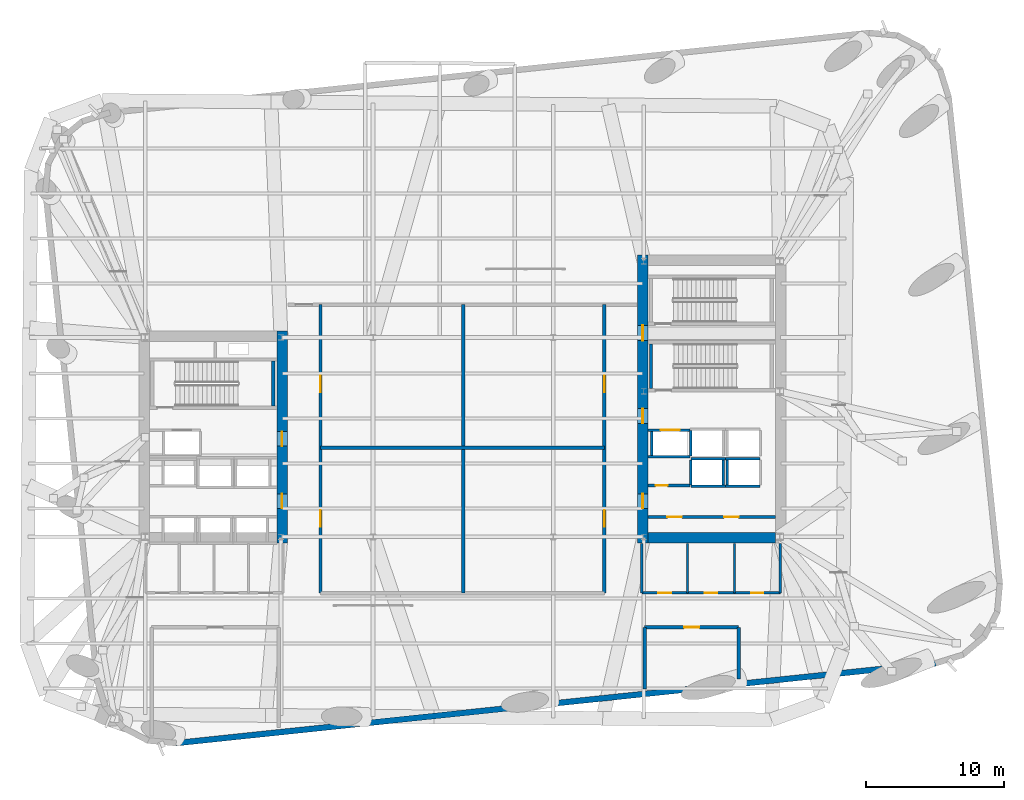
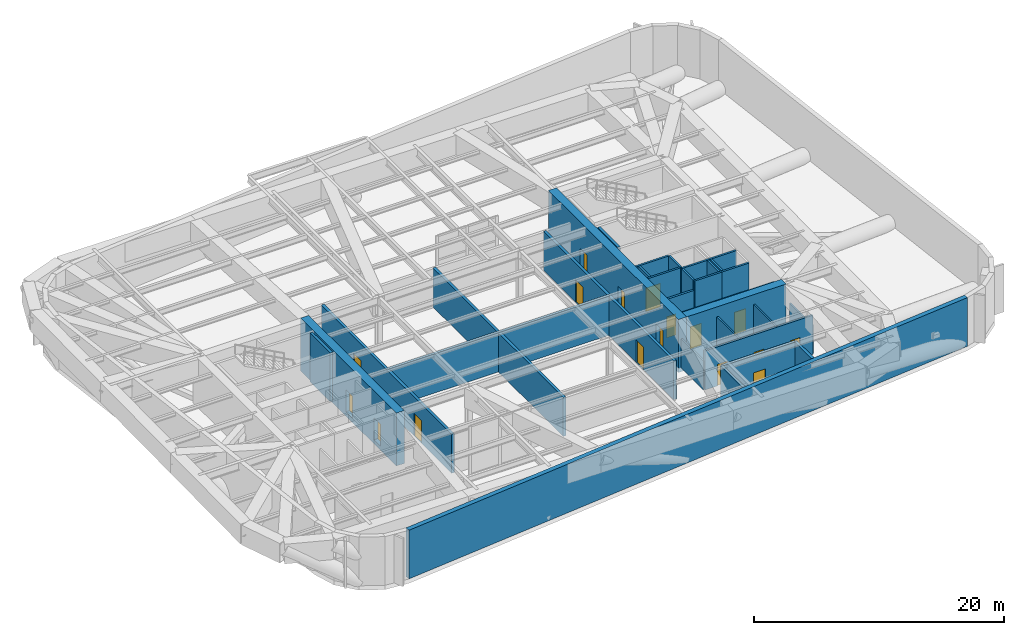
# One storey, part 8 of 15: 31 walls, 17 doors, 17 openings.
"""IFC4 building model written with IfcOpenShell, lengths in metres."""

import ifcopenshell
import ifcopenshell.guid

model = None  # the IFC model being written
_history = None  # IfcOwnerHistory: only IFC2X3 demands one
_inside = {}  # id of a spatial element -> (the spatial element, [elements in it])
_under = {}  # id of a project, library or spatial element -> (it, [spatial elements below it])
_declared = {}  # id of a project -> (the project, [libraries it declares])
_typed = {}  # id of a type object -> (the type object, [elements of that type])
_made_of = {}  # id of a material, layer set ... -> (it, [elements and type objects made of it])


def new_model(schema):
    """Start an empty IFC model of exactly this schema.

    Asked for "IFC4X3", IfcOpenShell would pick the latest addendum, in which some entities
    have other attributes; the version numbers below select the first issue.
    IFC2X3 requires an IfcOwnerHistory on every rooted entity: one is made here for all.
    """
    global model, _history
    if schema == "IFC4X3":
        model = ifcopenshell.file(schema_version=(4, 3, 0, 0))
    else:
        model = ifcopenshell.file(schema=schema)
    _inside.clear()
    _under.clear()
    _declared.clear()
    _typed.clear()
    _made_of.clear()
    _history = None
    if model.schema == "IFC2X3":
        org = make("IfcOrganization", Name="unknown")
        user = make(
            "IfcPersonAndOrganization",
            ThePerson=make("IfcPerson", FamilyName="unknown"),
            TheOrganization=org,
        )
        app = make(
            "IfcApplication",
            ApplicationDeveloper=org,
            Version="unknown",
            ApplicationFullName="unknown",
            ApplicationIdentifier="unknown",
        )
        _history = make(
            "IfcOwnerHistory",
            OwningUser=user,
            OwningApplication=app,
            ChangeAction="ADDED",
            CreationDate=0,
        )
    return model


def make(cls, **values):
    """One entity of the class cls with the attributes given. An attribute that is None is left unset."""
    return model.create_entity(
        cls, **{name: value for name, value in values.items() if value is not None}
    )


def rooted(cls, **values):
    """An entity with a GlobalId (a new one), such as an element, a storey or a relation."""
    return make(cls, GlobalId=ifcopenshell.guid.new(), OwnerHistory=_history, **values)


def si_unit(unit_type, name, prefix=None):
    """IfcSIUnit, for example si_unit("LENGTHUNIT", "METRE", prefix="MILLI")."""
    return make("IfcSIUnit", UnitType=unit_type, Prefix=prefix, Name=name)


def assignment(units):
    """IfcUnitAssignment: the units of a project."""
    return None if units is None else make("IfcUnitAssignment", Units=units)


def point(xyz):
    """IfcCartesianPoint."""
    return None if xyz is None else make("IfcCartesianPoint", Coordinates=xyz)


def direction(xyz):
    """IfcDirection."""
    return None if xyz is None else make("IfcDirection", DirectionRatios=xyz)


def frame(location, z_axis=None, x_axis=None):
    """IfcAxis2Placement3D, a coordinate frame: its origin and axes. An axis left out is left unset."""
    return make(
        "IfcAxis2Placement3D",
        Location=point(location),
        Axis=direction(z_axis),
        RefDirection=direction(x_axis),
    )


def frame_2d(location, x_axis=None):
    """IfcAxis2Placement2D, a coordinate frame in the plane: its origin and x axis."""
    return make(
        "IfcAxis2Placement2D", Location=point(location), RefDirection=direction(x_axis)
    )


def origin():
    """The frame at (0, 0, 0) with its axes left unset."""
    return frame((0.0, 0.0, 0.0))


def place(relative_to, where):
    """IfcLocalPlacement: puts the frame where relative to a parent placement (None: the world)."""
    return make(
        "IfcLocalPlacement", PlacementRelTo=relative_to, RelativePlacement=where
    )


def context(
    kind, dimensions, precision=None, world=None, true_north=None, identifier=None
):
    """IfcGeometricRepresentationContext, for example the 3D "Model" context."""
    return make(
        "IfcGeometricRepresentationContext",
        ContextIdentifier=identifier,
        ContextType=kind,
        CoordinateSpaceDimension=dimensions,
        Precision=precision,
        WorldCoordinateSystem=world,
        TrueNorth=true_north,
    )


def subcontext(parent, identifier, kind, view, scale=None):
    """IfcGeometricRepresentationSubContext, for example "Body" below "Model"."""
    return make(
        "IfcGeometricRepresentationSubContext",
        ContextIdentifier=identifier,
        ContextType=kind,
        ParentContext=parent,
        TargetScale=scale,
        TargetView=view,
    )


def project(units=None, contexts=None):
    """IfcProject with its units and contexts."""
    return rooted(
        "IfcProject",
        Name="project",
        RepresentationContexts=contexts,
        UnitsInContext=assignment(units),
    )


def spatial(cls, under=None, at=None, **own):
    """A site, building, storey or space (cls), placed at a placement, below another one or the project."""
    s = rooted(cls, ObjectPlacement=at, **own)
    if under is not None:
        _under.setdefault(under.id(), (under, []))[1].append(s)
    return s


def profile(cls, at=None, kind="AREA", **sizes):
    """A parametric profile (cls). Its sizes go by their IFC names, for example OverallWidth=200.0."""
    return make(cls, ProfileType=kind, Position=at, **sizes)


def rectangle(**sizes):
    """IfcRectangleProfileDef."""
    return profile("IfcRectangleProfileDef", **sizes)


def extrude(swept, where, along, depth):
    """IfcExtrudedAreaSolid: the profile swept, set in the frame where, extruded along a direction by depth."""
    return make(
        "IfcExtrudedAreaSolid",
        SweptArea=swept,
        Position=where,
        ExtrudedDirection=direction(along),
        Depth=depth,
    )


def shape(context_of_items, identifier, shape_type, items):
    """IfcShapeRepresentation: the items that make up one representation, for example the "Body"."""
    return make(
        "IfcShapeRepresentation",
        ContextOfItems=context_of_items,
        RepresentationIdentifier=identifier,
        RepresentationType=shape_type,
        Items=items,
    )


def material(Name=None, Category=None):
    """IfcMaterial."""
    return make("IfcMaterial", Name=Name, Category=Category)


def layer(
    of_material, thickness, ventilated=None, Name=None, Category=None, Priority=None
):
    """IfcMaterialLayer: one layer of a wall or slab, of a material (None: an air gap)."""
    return make(
        "IfcMaterialLayer",
        Material=of_material,
        LayerThickness=thickness,
        IsVentilated=ventilated,
        Name=Name,
        Category=Category,
        Priority=Priority,
    )


def layer_set(layers, Name=None):
    """IfcMaterialLayerSet."""
    return make("IfcMaterialLayerSet", MaterialLayers=layers, LayerSetName=Name)


def made_of(thing, what):
    """Note that an element or type object is made of a material, layer set ...; save() writes the relation."""
    if what is not None:
        _made_of.setdefault(what.id(), (what, []))[1].append(thing)
    return thing


def type_object(cls, material=None, **own):
    """A type object (cls), such as IfcWallType, which elements share."""
    return made_of(rooted(cls, **own), material)


def element(
    cls,
    number,
    at=None,
    inside=None,
    cuts=None,
    type_object=None,
    material=None,
    context=None,
    identifier="Body",
    shape_type=None,
    held_by="IfcProductDefinitionShape",
    body=None,
    shapes=None,
    **own,
):
    """One element of the class cls, such as IfcWall. Its Tag is "e" and its number.

    at: its placement. inside: the storey or other place that contains it. cuts: it is an
    opening in that element (IfcRelVoidsElement). A single representation is given by context,
    identifier, shape_type and body (its items); several are given by shapes. held_by: the class
    of the entity that holds the representations. save() writes the other relations.
    """
    e = rooted(cls, Tag="e%d" % number, ObjectPlacement=at, **own)
    if body is not None:
        shapes = [shape(context, identifier, shape_type, body)]
    if shapes is not None:
        e.Representation = make(held_by, Representations=shapes)
    if inside is not None:
        _inside.setdefault(inside.id(), (inside, []))[1].append(e)
    if cuts is not None:
        rooted(
            "IfcRelVoidsElement", RelatingBuildingElement=cuts, RelatedOpeningElement=e
        )
    if type_object is not None:
        _typed.setdefault(type_object.id(), (type_object, []))[1].append(e)
    return made_of(e, material)


def fill(opening, filler):
    """IfcRelFillsElement: the door or window that sits in an opening."""
    return rooted(
        "IfcRelFillsElement",
        RelatingOpeningElement=opening,
        RelatedBuildingElement=filler,
    )


def aggregate(whole, parts):
    """IfcRelAggregates: a whole, such as a stair, and the parts it consists of."""
    return rooted("IfcRelAggregates", RelatingObject=whole, RelatedObjects=parts)


def save(model, path):
    """Write the relations noted so far, then the file.

    IfcRelAggregates (storeys below a building ...), IfcRelContainedInSpatialStructure (elements
    in a storey), IfcRelDefinesByType, IfcRelAssociatesMaterial and IfcRelDeclares: one each for
    every whole, place, type object, material and project.
    """
    for whole, parts in _under.values():
        aggregate(whole, parts)
    for where, things in _inside.values():
        rooted(
            "IfcRelContainedInSpatialStructure",
            RelatedElements=things,
            RelatingStructure=where,
        )
    for kind, things in _typed.values():
        rooted("IfcRelDefinesByType", RelatedObjects=things, RelatingType=kind)
    for what, things in _made_of.values():
        rooted("IfcRelAssociatesMaterial", RelatedObjects=things, RelatingMaterial=what)
    for by, libraries in _declared.values():
        rooted("IfcRelDeclares", RelatingContext=by, RelatedDefinitions=libraries)
    model.write(path)


model = new_model("IFC4")

# Units and contexts
model_context = context("Model", 3, precision=1e-05, world=origin(), true_north=direction((0.0, 1.0)))
body_context = subcontext(model_context, "Body", "Model", "MODEL_VIEW")
ifc_project = project(units=[si_unit("LENGTHUNIT", "METRE"), si_unit("AREAUNIT", "SQUARE_METRE"), si_unit("VOLUMEUNIT", "CUBIC_METRE"), si_unit("PLANEANGLEUNIT", "RADIAN"), si_unit("MASSUNIT", "GRAM", prefix="KILO")], contexts=[model_context])

# Site, building, storey
site_placement = place(None, origin())
site = spatial("IfcSite", under=ifc_project, at=site_placement, CompositionType="ELEMENT")
building_placement = place(site_placement, origin())
building = spatial("IfcBuilding", under=site, at=building_placement, Name="Kolvaren Arena Tower", CompositionType="ELEMENT")
storey_placement = place(building_placement, frame((0.0, 0.0, 153.25)))
storey = spatial("IfcBuildingStorey", under=building, at=storey_placement, Name="L36", CompositionType="ELEMENT", Elevation=153.25)

# Wall, openings, doors
ifc_material_1 = material(Name="Concrete 70 MPa", Category="concrete")
ifc_layer_1 = layer(ifc_material_1, 0.75)
ifc_layer_set_1 = layer_set([ifc_layer_1], Name="Concrete 70 MPa")
wall_type_1 = type_object("IfcWallType", Name="CWALL-750", PredefinedType="SHEAR", material=ifc_layer_set_1)
wall_1_placement = place(storey_placement, frame((24.425048828125, 19.0, -0.419921875), z_axis=(0.0, 0.0, 1.0), x_axis=(0.0, 1.0, 0.0)))
wall_1 = element("IfcWall", 1, at=wall_1_placement, inside=storey, type_object=wall_type_1, Name="Core Shear Wall WC-EAST (L36)", PredefinedType="SHEAR", context=body_context, shape_type="SweptSolid", body=[
    extrude(rectangle(XDim=15.300048828125, YDim=0.75, at=frame_2d((7.64990234375, 0.0))), origin(), (0.0, 0.0, 1.0), 5.169921875),
])
opening_1_placement = place(wall_1_placement, frame((2.5, 0.0, 0.419921875)))
opening_1 = element("IfcOpeningElement", 2, at=opening_1_placement, cuts=wall_1, Name="Opening D04", PredefinedType="OPENING", context=body_context, shape_type="SweptSolid", body=[
    extrude(rectangle(XDim=1.050048828125, YDim=2.14990234375, at=frame_2d((0.52490234375, 1.074951171875))), frame((0.0, 0.385009765625, 0.0), z_axis=(0.0, -1.0, 0.0), x_axis=(1.0, 0.0, 0.0)), (0.0, 0.0, 1.0), 0.77001953125),
])
opening_2_placement = place(wall_1_placement, frame((7.0, 0.0, 0.419921875)))
opening_2 = element("IfcOpeningElement", 3, at=opening_2_placement, cuts=wall_1, Name="Opening D04", PredefinedType="OPENING", context=body_context, shape_type="SweptSolid", body=[
    extrude(rectangle(XDim=1.050048828125, YDim=2.14990234375, at=frame_2d((0.52490234375, 1.074951171875))), frame((0.0, 0.385009765625, 0.0), z_axis=(0.0, -1.0, 0.0), x_axis=(1.0, 0.0, 0.0)), (0.0, 0.0, 1.0), 0.77001953125),
])
ifc_material_2 = material(Name="Fire-rated steel lobby door", Category="steel")
door_type_1 = type_object("IfcDoorType", Name="DOOR-FF-105", OperationType="NOTDEFINED", PredefinedType="DOOR", material=ifc_material_2)
door_1_placement = place(opening_1_placement, origin())
door_1 = element("IfcDoor", 4, at=door_1_placement, inside=storey, type_object=door_type_1, Name="West Lift Lobby Fire Door (L36)", OperationType="SINGLE_SWING_LEFT", OverallHeight=2.14990234375, OverallWidth=1.050048828125, PredefinedType="DOOR", context=body_context, shape_type="SweptSolid", body=[
    extrude(rectangle(XDim=1.050048828125, YDim=2.14990234375, at=frame_2d((0.52490234375, 1.074951171875))), frame((0.0, 0.02490234375, 0.0), z_axis=(0.0, -1.0, 0.0), x_axis=(1.0, 0.0, 0.0)), (0.0, 0.0, 1.0), 0.050048828125),
])
fill(opening_1, door_1)
door_2_placement = place(opening_2_placement, origin())
door_2 = element("IfcDoor", 5, at=door_2_placement, inside=storey, type_object=door_type_1, Name="West Firefighter Vestibule Door (L36)", OperationType="SINGLE_SWING_RIGHT", OverallHeight=2.14990234375, OverallWidth=1.050048828125, PredefinedType="DOOR", context=body_context, shape_type="SweptSolid", body=[
    extrude(rectangle(XDim=1.050048828125, YDim=2.14990234375, at=frame_2d((0.52490234375, 1.074951171875))), frame((0.0, 0.02490234375, 0.0), z_axis=(0.0, -1.0, 0.0), x_axis=(1.0, 0.0, 0.0)), (0.0, 0.0, 1.0), 0.050048828125),
])
fill(opening_2, door_2)

wall_2_placement = place(storey_placement, frame((50.47509765625, 19.0, -0.419921875), z_axis=(0.0, 0.0, 1.0), x_axis=(0.0, 1.0, 0.0)))
wall_2 = element("IfcWall", 6, at=wall_2_placement, inside=storey, type_object=wall_type_1, Name="Core Shear Wall EC-WEST (L36)", PredefinedType="SHEAR", context=body_context, shape_type="SweptSolid", body=[
    extrude(rectangle(XDim=20.800048828125, YDim=0.75, at=frame_2d((10.39990234375, 0.0))), origin(), (0.0, 0.0, 1.0), 5.169921875),
])
opening_3_placement = place(wall_2_placement, frame((2.5, 0.0, 0.419921875)))
opening_3 = element("IfcOpeningElement", 7, at=opening_3_placement, cuts=wall_2, Name="Opening D04", PredefinedType="OPENING", context=body_context, shape_type="SweptSolid", body=[
    extrude(rectangle(XDim=1.050048828125, YDim=2.14990234375, at=frame_2d((0.52490234375, 1.074951171875))), frame((0.0, 0.385009765625, 0.0), z_axis=(0.0, -1.0, 0.0), x_axis=(1.0, 0.0, 0.0)), (0.0, 0.0, 1.0), 0.77001953125),
])
opening_4_placement = place(wall_2_placement, frame((8.64990234375, 0.0, 0.419921875)))
opening_4 = element("IfcOpeningElement", 8, at=opening_4_placement, cuts=wall_2, Name="Opening D04", PredefinedType="OPENING", context=body_context, shape_type="SweptSolid", body=[
    extrude(rectangle(XDim=1.050048828125, YDim=2.14990234375, at=frame_2d((0.52490234375, 1.074951171875))), frame((0.0, 0.385009765625, 0.0), z_axis=(0.0, -1.0, 0.0), x_axis=(1.0, 0.0, 0.0)), (0.0, 0.0, 1.0), 0.77001953125),
])
opening_5_placement = place(wall_2_placement, frame((14.6201171875, 0.0, 0.419921875)))
opening_5 = element("IfcOpeningElement", 9, at=opening_5_placement, cuts=wall_2, Name="Opening D03", PredefinedType="OPENING", context=body_context, shape_type="SweptSolid", body=[
    extrude(rectangle(XDim=1.10009765625, YDim=2.14990234375, at=frame_2d((0.550048828125, 1.074951171875))), frame((0.0, 0.385009765625, 0.0), z_axis=(0.0, -1.0, 0.0), x_axis=(1.0, 0.0, 0.0)), (0.0, 0.0, 1.0), 0.77001953125),
])
door_3_placement = place(opening_3_placement, origin())
door_3 = element("IfcDoor", 10, at=door_3_placement, inside=storey, type_object=door_type_1, Name="East Lift Lobby Fire Door (L36)", OperationType="SINGLE_SWING_RIGHT", OverallHeight=2.14990234375, OverallWidth=1.050048828125, PredefinedType="DOOR", context=body_context, shape_type="SweptSolid", body=[
    extrude(rectangle(XDim=1.050048828125, YDim=2.14990234375, at=frame_2d((0.52490234375, 1.074951171875))), frame((0.0, 0.02490234375, 0.0), z_axis=(0.0, -1.0, 0.0), x_axis=(1.0, 0.0, 0.0)), (0.0, 0.0, 1.0), 0.050048828125),
])
fill(opening_3, door_3)
door_4_placement = place(opening_4_placement, origin())
door_4 = element("IfcDoor", 11, at=door_4_placement, inside=storey, type_object=door_type_1, Name="East Firefighter Vestibule Door (L36)", OperationType="SINGLE_SWING_LEFT", OverallHeight=2.14990234375, OverallWidth=1.050048828125, PredefinedType="DOOR", context=body_context, shape_type="SweptSolid", body=[
    extrude(rectangle(XDim=1.050048828125, YDim=2.14990234375, at=frame_2d((0.52490234375, 1.074951171875))), frame((0.0, 0.02490234375, 0.0), z_axis=(0.0, -1.0, 0.0), x_axis=(1.0, 0.0, 0.0)), (0.0, 0.0, 1.0), 0.050048828125),
])
fill(opening_4, door_4)
ifc_material_3 = material(Name="Fire-rated steel exit stair door", Category="steel")
door_type_2 = type_object("IfcDoorType", Name="DOOR-ST-110", OperationType="NOTDEFINED", PredefinedType="DOOR", material=ifc_material_3)
door_5_placement = place(opening_5_placement, origin())
door_5 = element("IfcDoor", 12, at=door_5_placement, inside=storey, type_object=door_type_2, Name="Stair ST-E2 Vestibule Fire Door (L36)", OperationType="SINGLE_SWING_LEFT", OverallHeight=2.14990234375, OverallWidth=1.10009765625, PredefinedType="DOOR", context=body_context, shape_type="SweptSolid", body=[
    extrude(rectangle(XDim=1.10009765625, YDim=2.14990234375, at=frame_2d((0.550048828125, 1.074951171875))), frame((0.0, 0.02490234375, 0.0), z_axis=(0.0, -1.0, 0.0), x_axis=(1.0, 0.0, 0.0)), (0.0, 0.0, 1.0), 0.050048828125),
])
fill(opening_5, door_5)

# Walls
wall_3_placement = place(storey_placement, frame((50.85009765625, 19.375, -0.419921875), z_axis=(0.0, 0.0, 1.0), x_axis=(1.0, 0.0, 0.0)))
element("IfcWall", 13, at=wall_3_placement, inside=storey, type_object=wall_type_1, Name="Core Shear Wall EC-SOUTH (L36)", PredefinedType="SHEAR", context=body_context, shape_type="SweptSolid", body=[
    extrude(rectangle(XDim=9.199951171875, YDim=0.75, at=frame_2d((4.60009765625, 0.0))), origin(), (0.0, 0.0, 1.0), 5.169921875),
])
ifc_material_4 = material(Name="Precast concrete C50/60", Category="concrete")
ifc_layer_2 = layer(ifc_material_4, 0.419921875)
ifc_layer_set_2 = layer_set([ifc_layer_2], Name="Precast concrete C50/60")
wall_type_2 = type_object("IfcWallType", Name="EXT-PIER1", PredefinedType="SOLIDWALL", material=ifc_layer_set_2)
wall_4_placement = place(storey_placement, frame((71.641357421875, 10.3203125, 0.0), z_axis=(0.0, 0.0, 1.0), x_axis=(-0.994521775062, -0.104529607897, 0.0)))
element("IfcWall", 14, at=wall_4_placement, inside=storey, type_object=wall_type_2, Name="Exterior Precast Masonry-Frame Wall (L36)", PredefinedType="SOLIDWALL", context=body_context, shape_type="SweptSolid", body=[
    extrude(rectangle(XDim=55.199951171875, YDim=0.419921875, at=frame_2d((27.60009765625, 0.0))), origin(), (0.0, 0.0, 1.0), 4.75),
])

# Wall, openings, doors
ifc_material_5 = material(Name="Concrete 40 MPa", Category="concrete")
ifc_layer_3 = layer(ifc_material_5, 0.199951171875)
ifc_layer_set_3 = layer_set([ifc_layer_3], Name="Concrete 40 MPa")
wall_type_3 = type_object("IfcWallType", Name="LOBBY-200", PredefinedType="SOLIDWALL", material=ifc_layer_set_3)
wall_5_placement = place(storey_placement, frame((50.85009765625, 20.8798828125, 0.0), z_axis=(0.0, 0.0, 1.0), x_axis=(1.0, 0.0, 0.0)))
wall_5 = element("IfcWall", 15, at=wall_5_placement, inside=storey, type_object=wall_type_3, Name="Core Shaft Wall (L36)", PredefinedType="SOLIDWALL", context=body_context, shape_type="SweptSolid", body=[
    extrude(rectangle(XDim=9.199951171875, YDim=0.199951171875, at=frame_2d((4.60009765625, 0.0))), origin(), (0.0, 0.0, 1.0), 3.81005859375),
])
opening_6_placement = place(wall_5_placement, frame((1.39990234375, 0.0, 0.0)))
opening_6 = element("IfcOpeningElement", 16, at=opening_6_placement, cuts=wall_5, Name="Opening D04", PredefinedType="OPENING", context=body_context, shape_type="SweptSolid", body=[
    extrude(rectangle(XDim=1.050048828125, YDim=2.14990234375, at=frame_2d((0.52490234375, 1.074951171875))), frame((0.0, 0.10986328125, 0.0), z_axis=(0.0, -1.0, 0.0), x_axis=(1.0, 0.0, 0.0)), (0.0, 0.0, 1.0), 0.219970703125),
])
opening_7_placement = place(wall_5_placement, frame((5.5, 0.0, 0.0)))
opening_7 = element("IfcOpeningElement", 17, at=opening_7_placement, cuts=wall_5, Name="Opening D04", PredefinedType="OPENING", context=body_context, shape_type="SweptSolid", body=[
    extrude(rectangle(XDim=1.050048828125, YDim=2.14990234375, at=frame_2d((0.52490234375, 1.074951171875))), frame((0.0, 0.10986328125, 0.0), z_axis=(0.0, -1.0, 0.0), x_axis=(1.0, 0.0, 0.0)), (0.0, 0.0, 1.0), 0.219970703125),
])
door_6_placement = place(opening_6_placement, origin())
door_6 = element("IfcDoor", 18, at=door_6_placement, inside=storey, type_object=door_type_1, Name="East Telecom Room Fire Door (L36)", OperationType="SINGLE_SWING_RIGHT", OverallHeight=2.14990234375, OverallWidth=1.050048828125, PredefinedType="DOOR", context=body_context, shape_type="SweptSolid", body=[
    extrude(rectangle(XDim=1.050048828125, YDim=2.14990234375, at=frame_2d((0.52490234375, 1.074951171875))), frame((0.0, 0.02490234375, 0.0), z_axis=(0.0, -1.0, 0.0), x_axis=(1.0, 0.0, 0.0)), (0.0, 0.0, 1.0), 0.050048828125),
])
fill(opening_6, door_6)
door_7_placement = place(opening_7_placement, origin())
door_7 = element("IfcDoor", 19, at=door_7_placement, inside=storey, type_object=door_type_1, Name="East Records Room Fire Door (L36)", OperationType="SINGLE_SWING_LEFT", OverallHeight=2.14990234375, OverallWidth=1.050048828125, PredefinedType="DOOR", context=body_context, shape_type="SweptSolid", body=[
    extrude(rectangle(XDim=1.050048828125, YDim=2.14990234375, at=frame_2d((0.52490234375, 1.074951171875))), frame((0.0, 0.02490234375, 0.0), z_axis=(0.0, -1.0, 0.0), x_axis=(1.0, 0.0, 0.0)), (0.0, 0.0, 1.0), 0.050048828125),
])
fill(opening_7, door_7)

# Wall, opening, door
wall_6_placement = place(storey_placement, frame((50.85009765625, 23.159912109375, 0.0), z_axis=(0.0, 0.0, 1.0), x_axis=(1.0, 0.0, 0.0)))
wall_6 = element("IfcWall", 20, at=wall_6_placement, inside=storey, type_object=wall_type_3, Name="Core Shaft Wall (L36)", PredefinedType="SOLIDWALL", context=body_context, shape_type="SweptSolid", body=[
    extrude(rectangle(XDim=3.02978515625, YDim=0.199951171875, at=frame_2d((1.514892578125, 0.0))), origin(), (0.0, 0.0, 1.0), 3.81005859375),
])
opening_8_placement = place(wall_6_placement, frame((0.550048828125, 0.0, 0.0)))
opening_8 = element("IfcOpeningElement", 21, at=opening_8_placement, cuts=wall_6, Name="Opening D09", PredefinedType="OPENING", context=body_context, shape_type="SweptSolid", body=[
    extrude(rectangle(XDim=0.860107421875, YDim=2.050048828125, at=frame_2d((0.43017578125, 1.02490234375))), frame((0.0, 0.10986328125, 0.0), z_axis=(0.0, -1.0, 0.0), x_axis=(1.0, 0.0, 0.0)), (0.0, 0.0, 1.0), 0.219970703125),
])
ifc_material_6 = material(Name="Fire-rated steel riser access door", Category="steel")
door_type_3 = type_object("IfcDoorType", Name="DOOR-RS-086", OperationType="NOTDEFINED", PredefinedType="DOOR", material=ifc_material_6)
door_8_placement = place(opening_8_placement, origin())
door_8 = element("IfcDoor", 22, at=door_8_placement, inside=storey, type_object=door_type_3, Name="East AV Riser Closet Door (L36)", OperationType="SINGLE_SWING_LEFT", OverallHeight=2.050048828125, OverallWidth=0.860107421875, PredefinedType="DOOR", context=body_context, shape_type="SweptSolid", body=[
    extrude(rectangle(XDim=0.860107421875, YDim=2.050048828125, at=frame_2d((0.43017578125, 1.02490234375))), frame((0.0, 0.02490234375, 0.0), z_axis=(0.0, -1.0, 0.0), x_axis=(1.0, 0.0, 0.0)), (0.0, 0.0, 1.0), 0.050048828125),
])
fill(opening_8, door_8)

# Walls
ifc_material_7 = material(Name="Concrete 45 MPa", Category="concrete")
ifc_layer_4 = layer(ifc_material_7, 0.25)
ifc_layer_set_4 = layer_set([ifc_layer_4], Name="Concrete 45 MPa")
wall_type_4 = type_object("IfcWallType", Name="SHAFT-250", PredefinedType="SOLIDWALL", material=ifc_layer_set_4)
for number, where, z_axis, x_axis, name in (
    (23, (23.780029296875, 28.89990234375, 0.0), (0.0, 0.0, 1.0), (0.0, 1.0, 0.0), "Core Shaft Wall (L36)"),
    (24, (51.06005859375, 30.14990234375, 0.0), (0.0, 0.0, 1.0), (0.0, 1.0, 0.0), "Core Shaft Wall (L36)"),
):
    element("IfcWall", number, at=place(storey_placement, frame(where, z_axis=z_axis, x_axis=x_axis)), inside=storey, type_object=wall_type_4, Name=name, PredefinedType="SOLIDWALL", context=body_context, shape_type="SweptSolid", body=[
        extrude(rectangle(XDim=3.22998046875, YDim=0.239990234375, at=frame_2d((1.614990234375, 0.0))), origin(), (0.0, 0.0, 1.0), 4.75),
    ])
for number, where, z_axis, x_axis, name in (
    (25, (53.93994140625, 25.10498046875, 0.0), (0.0, 0.0, 1.0), (1.0, 0.0, 0.0), "Core Shaft Wall (L36)"),
    (26, (53.93994140625, 23.094970703125, 0.0), (0.0, 0.0, 1.0), (1.0, 0.0, 0.0), "Core Shaft Wall (L36)"),
):
    element("IfcWall", number, at=place(storey_placement, frame(where, z_axis=z_axis, x_axis=x_axis)), inside=storey, type_object=wall_type_4, Name=name, PredefinedType="SOLIDWALL", context=body_context, shape_type="SweptSolid", body=[
        extrude(rectangle(XDim=2.5, YDim=0.179931640625, at=frame_2d((1.25, 0.0))), origin(), (0.0, 0.0, 1.0), 4.75),
    ])
for number, where, z_axis, x_axis, name in (
    (27, (53.93994140625, 23.18505859375, 0.0), (0.0, 0.0, 1.0), (0.0, 1.0, 0.0), "Core Shaft Wall (L36)"),
    (28, (56.300048828125, 23.18505859375, 0.0), (0.0, 0.0, 1.0), (0.0, 1.0, 0.0), "Core Shaft Wall (L36)"),
):
    element("IfcWall", number, at=place(storey_placement, frame(where, z_axis=z_axis, x_axis=x_axis)), inside=storey, type_object=wall_type_4, Name=name, PredefinedType="SOLIDWALL", context=body_context, shape_type="SweptSolid", body=[
        extrude(rectangle(XDim=1.829833984375, YDim=0.179931640625, at=frame_2d((0.9150390625, 0.0))), origin(), (0.0, 0.0, 1.0), 4.75),
    ])
for number, where, z_axis, x_axis, name in (
    (29, (56.43994140625, 25.10498046875, 0.0), (0.0, 0.0, 1.0), (1.0, 0.0, 0.0), "Core Shaft Wall (L36)"),
    (30, (56.43994140625, 23.094970703125, 0.0), (0.0, 0.0, 1.0), (1.0, 0.0, 0.0), "Core Shaft Wall (L36)"),
):
    element("IfcWall", number, at=place(storey_placement, frame(where, z_axis=z_axis, x_axis=x_axis)), inside=storey, type_object=wall_type_4, Name=name, PredefinedType="SOLIDWALL", context=body_context, shape_type="SweptSolid", body=[
        extrude(rectangle(XDim=2.5, YDim=0.179931640625, at=frame_2d((1.25, 0.0))), origin(), (0.0, 0.0, 1.0), 4.75),
    ])
wall_7_placement = place(storey_placement, frame((56.580078125, 23.18505859375, 0.0), z_axis=(0.0, 0.0, 1.0), x_axis=(0.0, 1.0, 0.0)))
element("IfcWall", 31, at=wall_7_placement, inside=storey, type_object=wall_type_4, Name="Core Shaft Wall (L36)", PredefinedType="SOLIDWALL", context=body_context, shape_type="SweptSolid", body=[
    extrude(rectangle(XDim=1.829833984375, YDim=0.179931640625, at=frame_2d((0.9150390625, 0.0))), origin(), (0.0, 0.0, 1.0), 4.75),
])
wall_8_placement = place(storey_placement, frame((53.93994140625, 25.284912109375, 0.0), z_axis=(0.0, 0.0, 1.0), x_axis=(0.0, 1.0, 0.0)))
element("IfcWall", 32, at=wall_8_placement, inside=storey, type_object=wall_type_4, Name="Core Shaft Wall (L36)", PredefinedType="SOLIDWALL", context=body_context, shape_type="SweptSolid", body=[
    extrude(rectangle(XDim=1.830078125, YDim=0.179931640625, at=frame_2d((0.9150390625, 0.0))), origin(), (0.0, 0.0, 1.0), 4.75),
])

# Wall, opening, door
wall_9_placement = place(storey_placement, frame((50.85009765625, 27.155029296875, 0.0), z_axis=(0.0, 0.0, 1.0), x_axis=(1.0, 0.0, 0.0)))
wall_9 = element("IfcWall", 33, at=wall_9_placement, inside=storey, type_object=wall_type_4, Name="Core Shaft Wall (L36)", PredefinedType="SOLIDWALL", context=body_context, shape_type="SweptSolid", body=[
    extrude(rectangle(XDim=3.014892578125, YDim=0.179931640625, at=frame_2d((1.50732421875, 0.0))), origin(), (0.0, 0.0, 1.0), 4.75),
])
opening_9_placement = place(wall_9_placement, frame((0.93505859375, 0.0, 0.0)))
opening_9 = element("IfcOpeningElement", 34, at=opening_9_placement, cuts=wall_9, Name="Opening LD2", PredefinedType="OPENING", context=body_context, shape_type="SweptSolid", body=[
    extrude(rectangle(XDim=1.35009765625, YDim=2.300048828125, at=frame_2d((0.675048828125, 1.14990234375))), frame((0.0, 0.099853515625, 0.0), z_axis=(0.0, -1.0, 0.0), x_axis=(1.0, 0.0, 0.0)), (0.0, 0.0, 1.0), 0.199951171875),
])
ifc_material_8 = material(Name="Stainless steel firefighter lift landing door", Category="steel")
door_type_4 = type_object("IfcDoorType", Name="DOOR-LD-135", OperationType="DOUBLE_DOOR_SLIDING", PredefinedType="DOOR", material=ifc_material_8)
door_9_placement = place(opening_9_placement, origin())
door_9 = element("IfcDoor", 35, at=door_9_placement, inside=storey, type_object=door_type_4, Name="Firefighter Lift FF-E1 Landing Door (L36)", OperationType="DOUBLE_DOOR_SLIDING", OverallHeight=2.300048828125, OverallWidth=1.35009765625, PredefinedType="DOOR", context=body_context, shape_type="SweptSolid", body=[
    extrude(rectangle(XDim=1.35009765625, YDim=2.300048828125, at=frame_2d((0.675048828125, 1.14990234375))), frame((0.0, 0.02490234375, 0.0), z_axis=(0.0, -1.0, 0.0), x_axis=(1.0, 0.0, 0.0)), (0.0, 0.0, 1.0), 0.050048828125),
])
fill(opening_9, door_9)

# Walls
wall_10_placement = place(storey_placement, frame((50.85009765625, 25.2451171875, 0.0), z_axis=(0.0, 0.0, 1.0), x_axis=(1.0, 0.0, 0.0)))
element("IfcWall", 36, at=wall_10_placement, inside=storey, type_object=wall_type_4, Name="Core Shaft Wall (L36)", PredefinedType="SOLIDWALL", context=body_context, shape_type="SweptSolid", body=[
    extrude(rectangle(XDim=3.014892578125, YDim=0.179931640625, at=frame_2d((1.50732421875, 0.0))), origin(), (0.0, 0.0, 1.0), 4.75),
])
wall_11_placement = place(storey_placement, frame((51.1298828125, 25.3349609375, 0.0), z_axis=(0.0, 0.0, 1.0), x_axis=(0.0, 1.0, 0.0)))
element("IfcWall", 37, at=wall_11_placement, inside=storey, type_object=wall_type_4, Name="Core Shaft Wall (L36)", PredefinedType="SOLIDWALL", context=body_context, shape_type="SweptSolid", body=[
    extrude(rectangle(XDim=1.72998046875, YDim=0.179931640625, at=frame_2d((0.864990234375, 0.0))), origin(), (0.0, 0.0, 1.0), 4.75),
])

# Wall, openings, doors
wall_12_placement = place(storey_placement, frame((50.39990234375, 15.39990234375, 0.0), z_axis=(0.0, 0.0, 1.0), x_axis=(1.0, 0.0, 0.0)))
wall_12 = element("IfcWall", 38, at=wall_12_placement, inside=storey, type_object=wall_type_4, Name="Interior Partition Wall (L36)", PredefinedType="SOLIDWALL", context=body_context, shape_type="SweptSolid", body=[
    extrude(rectangle(XDim=10.0, YDim=0.179931640625, at=frame_2d((5.0, 0.0))), origin(), (0.0, 0.0, 1.0), 3.81005859375),
])
opening_10_placement = place(wall_12_placement, frame((1.18994140625, 0.0, 0.0)))
opening_10 = element("IfcOpeningElement", 39, at=opening_10_placement, cuts=wall_12, Name="Opening D07", PredefinedType="OPENING", context=body_context, shape_type="SweptSolid", body=[
    extrude(rectangle(XDim=0.919921875, YDim=2.10009765625, at=frame_2d((0.4599609375, 1.050048828125))), frame((0.0, 0.099853515625, 0.0), z_axis=(0.0, -1.0, 0.0), x_axis=(1.0, 0.0, 0.0)), (0.0, 0.0, 1.0), 0.199951171875),
])
opening_11_placement = place(wall_12_placement, frame((4.5400390625, 0.0, 0.0)))
opening_11 = element("IfcOpeningElement", 40, at=opening_11_placement, cuts=wall_12, Name="Opening D07", PredefinedType="OPENING", context=body_context, shape_type="SweptSolid", body=[
    extrude(rectangle(XDim=0.919921875, YDim=2.10009765625, at=frame_2d((0.4599609375, 1.050048828125))), frame((0.0, 0.099853515625, 0.0), z_axis=(0.0, -1.0, 0.0), x_axis=(1.0, 0.0, 0.0)), (0.0, 0.0, 1.0), 0.199951171875),
])
opening_12_placement = place(wall_12_placement, frame((7.919921875, 0.0, 0.0)))
opening_12 = element("IfcOpeningElement", 41, at=opening_12_placement, cuts=wall_12, Name="Opening D09", PredefinedType="OPENING", context=body_context, shape_type="SweptSolid", body=[
    extrude(rectangle(XDim=0.860107421875, YDim=2.050048828125, at=frame_2d((0.43017578125, 1.02490234375))), frame((0.0, 0.099853515625, 0.0), z_axis=(0.0, -1.0, 0.0), x_axis=(1.0, 0.0, 0.0)), (0.0, 0.0, 1.0), 0.199951171875),
])
door_10_placement = place(opening_12_placement, origin())
door_10 = element("IfcDoor", 42, at=door_10_placement, inside=storey, type_object=door_type_3, Name="Mechanical Riser Closet Door (L36)", OperationType="SINGLE_SWING_RIGHT", OverallHeight=2.050048828125, OverallWidth=0.860107421875, PredefinedType="DOOR", context=body_context, shape_type="SweptSolid", body=[
    extrude(rectangle(XDim=0.860107421875, YDim=2.050048828125, at=frame_2d((0.43017578125, 1.02490234375))), frame((0.0, 0.02490234375, 0.0), z_axis=(0.0, -1.0, 0.0), x_axis=(1.0, 0.0, 0.0)), (0.0, 0.0, 1.0), 0.050048828125),
])
fill(opening_12, door_10)
ifc_material_9 = material(Name="Laminate universal washroom door", Category="wood")
door_type_5 = type_object("IfcDoorType", Name="DOOR-WC-092", OperationType="NOTDEFINED", PredefinedType="DOOR", material=ifc_material_9)
door_11_placement = place(opening_10_placement, origin())
door_11 = element("IfcDoor", 43, at=door_11_placement, inside=storey, type_object=door_type_5, Name="Staff Pantry Door (L36)", OperationType="SINGLE_SWING_RIGHT", OverallHeight=2.10009765625, OverallWidth=0.919921875, PredefinedType="DOOR", context=body_context, shape_type="SweptSolid", body=[
    extrude(rectangle(XDim=0.919921875, YDim=2.10009765625, at=frame_2d((0.4599609375, 1.050048828125))), frame((0.0, 0.02490234375, 0.0), z_axis=(0.0, -1.0, 0.0), x_axis=(1.0, 0.0, 0.0)), (0.0, 0.0, 1.0), 0.050048828125),
])
fill(opening_10, door_11)
door_12_placement = place(opening_11_placement, origin())
door_12 = element("IfcDoor", 44, at=door_12_placement, inside=storey, type_object=door_type_5, Name="Gender-Neutral Washroom Door (L36)", OperationType="SINGLE_SWING_LEFT", OverallHeight=2.10009765625, OverallWidth=0.919921875, PredefinedType="DOOR", context=body_context, shape_type="SweptSolid", body=[
    extrude(rectangle(XDim=0.919921875, YDim=2.10009765625, at=frame_2d((0.4599609375, 1.050048828125))), frame((0.0, 0.02490234375, 0.0), z_axis=(0.0, -1.0, 0.0), x_axis=(1.0, 0.0, 0.0)), (0.0, 0.0, 1.0), 0.050048828125),
])
fill(opening_11, door_12)

# Walls
wall_13_placement = place(storey_placement, frame((37.5, 15.3798828125, 0.0), z_axis=(0.0, 0.0, 1.0), x_axis=(0.0, 1.0, 0.0)))
element("IfcWall", 45, at=wall_13_placement, inside=storey, type_object=wall_type_4, Name="Interior Partition Wall (L36)", PredefinedType="SOLIDWALL", context=body_context, shape_type="SweptSolid", body=[
    extrude(rectangle(XDim=20.840087890625, YDim=0.25, at=frame_2d((10.419921875, 0.0))), origin(), (0.0, 0.0, 1.0), 3.81005859375),
])
wall_14_placement = place(storey_placement, frame((27.199951171875, 25.8798828125, 0.0), z_axis=(0.0, 0.0, 1.0), x_axis=(1.0, 0.0, 0.0)))
element("IfcWall", 46, at=wall_14_placement, inside=storey, type_object=wall_type_4, Name="Interior Partition Wall (L36)", PredefinedType="SOLIDWALL", context=body_context, shape_type="SweptSolid", body=[
    extrude(rectangle(XDim=20.5, YDim=0.25, at=frame_2d((10.25, 0.0))), origin(), (0.0, 0.0, 1.0), 3.81005859375),
])

# Wall, openings, doors
wall_15_placement = place(storey_placement, frame((27.199951171875, 15.3798828125, 0.0), z_axis=(0.0, 0.0, 1.0), x_axis=(0.0, 1.0, 0.0)))
wall_15 = element("IfcWall", 47, at=wall_15_placement, inside=storey, type_object=wall_type_4, Name="Interior Partition Wall (L36)", PredefinedType="SOLIDWALL", context=body_context, shape_type="SweptSolid", body=[
    extrude(rectangle(XDim=20.840087890625, YDim=0.25, at=frame_2d((10.419921875, 0.0))), origin(), (0.0, 0.0, 1.0), 3.81005859375),
])
opening_13_placement = place(wall_15_placement, frame((4.800048828125, 0.0, 0.0)))
opening_13 = element("IfcOpeningElement", 48, at=opening_13_placement, cuts=wall_15, Name="Opening D08", PredefinedType="OPENING", context=body_context, shape_type="SweptSolid", body=[
    extrude(rectangle(XDim=1.199951171875, YDim=2.199951171875, at=frame_2d((0.60009765625, 1.10009765625))), frame((0.0, 0.135009765625, 0.0), z_axis=(0.0, -1.0, 0.0), x_axis=(1.0, 0.0, 0.0)), (0.0, 0.0, 1.0), 0.27001953125),
])
opening_14_placement = place(wall_15_placement, frame((14.5, 0.0, 0.0)))
opening_14 = element("IfcOpeningElement", 49, at=opening_14_placement, cuts=wall_15, Name="Opening D08", PredefinedType="OPENING", context=body_context, shape_type="SweptSolid", body=[
    extrude(rectangle(XDim=1.199951171875, YDim=2.199951171875, at=frame_2d((0.60009765625, 1.10009765625))), frame((0.0, 0.135009765625, 0.0), z_axis=(0.0, -1.0, 0.0), x_axis=(1.0, 0.0, 0.0)), (0.0, 0.0, 1.0), 0.27001953125),
])
ifc_material_10 = material(Name="Fire-rated steel plant room door", Category="steel")
door_type_6 = type_object("IfcDoorType", Name="DOOR-PL-120", OperationType="NOTDEFINED", PredefinedType="DOOR", material=ifc_material_10)
door_13_placement = place(opening_13_placement, origin())
door_13 = element("IfcDoor", 50, at=door_13_placement, inside=storey, type_object=door_type_6, Name="AHU Plant Door (L36)", OperationType="SINGLE_SWING_LEFT", OverallHeight=2.199951171875, OverallWidth=1.199951171875, PredefinedType="DOOR", context=body_context, shape_type="SweptSolid", body=[
    extrude(rectangle(XDim=1.199951171875, YDim=2.199951171875, at=frame_2d((0.60009765625, 1.10009765625))), frame((0.0, 0.02490234375, 0.0), z_axis=(0.0, -1.0, 0.0), x_axis=(1.0, 0.0, 0.0)), (0.0, 0.0, 1.0), 0.050048828125),
])
fill(opening_13, door_13)
door_14_placement = place(opening_14_placement, origin())
door_14 = element("IfcDoor", 51, at=door_14_placement, inside=storey, type_object=door_type_6, Name="Pump Plant Door (L36)", OperationType="SINGLE_SWING_RIGHT", OverallHeight=2.199951171875, OverallWidth=1.199951171875, PredefinedType="DOOR", context=body_context, shape_type="SweptSolid", body=[
    extrude(rectangle(XDim=1.199951171875, YDim=2.199951171875, at=frame_2d((0.60009765625, 1.10009765625))), frame((0.0, 0.02490234375, 0.0), z_axis=(0.0, -1.0, 0.0), x_axis=(1.0, 0.0, 0.0)), (0.0, 0.0, 1.0), 0.050048828125),
])
fill(opening_14, door_14)

wall_16_placement = place(storey_placement, frame((47.699951171875, 15.3798828125, 0.0), z_axis=(0.0, 0.0, 1.0), x_axis=(0.0, 1.0, 0.0)))
wall_16 = element("IfcWall", 52, at=wall_16_placement, inside=storey, type_object=wall_type_4, Name="Interior Partition Wall (L36)", PredefinedType="SOLIDWALL", context=body_context, shape_type="SweptSolid", body=[
    extrude(rectangle(XDim=20.840087890625, YDim=0.25, at=frame_2d((10.419921875, 0.0))), origin(), (0.0, 0.0, 1.0), 3.81005859375),
])
opening_15_placement = place(wall_16_placement, frame((4.800048828125, 0.0, 0.0)))
opening_15 = element("IfcOpeningElement", 53, at=opening_15_placement, cuts=wall_16, Name="Opening D08", PredefinedType="OPENING", context=body_context, shape_type="SweptSolid", body=[
    extrude(rectangle(XDim=1.199951171875, YDim=2.199951171875, at=frame_2d((0.60009765625, 1.10009765625))), frame((0.0, 0.135009765625, 0.0), z_axis=(0.0, -1.0, 0.0), x_axis=(1.0, 0.0, 0.0)), (0.0, 0.0, 1.0), 0.27001953125),
])
opening_16_placement = place(wall_16_placement, frame((14.5, 0.0, 0.0)))
opening_16 = element("IfcOpeningElement", 54, at=opening_16_placement, cuts=wall_16, Name="Opening D08", PredefinedType="OPENING", context=body_context, shape_type="SweptSolid", body=[
    extrude(rectangle(XDim=1.199951171875, YDim=2.199951171875, at=frame_2d((0.60009765625, 1.10009765625))), frame((0.0, 0.135009765625, 0.0), z_axis=(0.0, -1.0, 0.0), x_axis=(1.0, 0.0, 0.0)), (0.0, 0.0, 1.0), 0.27001953125),
])
door_15_placement = place(opening_15_placement, origin())
door_15 = element("IfcDoor", 55, at=door_15_placement, inside=storey, type_object=door_type_6, Name="Chiller Plant Door (L36)", OperationType="SINGLE_SWING_RIGHT", OverallHeight=2.199951171875, OverallWidth=1.199951171875, PredefinedType="DOOR", context=body_context, shape_type="SweptSolid", body=[
    extrude(rectangle(XDim=1.199951171875, YDim=2.199951171875, at=frame_2d((0.60009765625, 1.10009765625))), frame((0.0, 0.02490234375, 0.0), z_axis=(0.0, -1.0, 0.0), x_axis=(1.0, 0.0, 0.0)), (0.0, 0.0, 1.0), 0.050048828125),
])
fill(opening_15, door_15)
door_16_placement = place(opening_16_placement, origin())
door_16 = element("IfcDoor", 56, at=door_16_placement, inside=storey, type_object=door_type_6, Name="Switchgear Room Door (L36)", OperationType="SINGLE_SWING_LEFT", OverallHeight=2.199951171875, OverallWidth=1.199951171875, PredefinedType="DOOR", context=body_context, shape_type="SweptSolid", body=[
    extrude(rectangle(XDim=1.199951171875, YDim=2.199951171875, at=frame_2d((0.60009765625, 1.10009765625))), frame((0.0, 0.02490234375, 0.0), z_axis=(0.0, -1.0, 0.0), x_axis=(1.0, 0.0, 0.0)), (0.0, 0.0, 1.0), 0.050048828125),
])
fill(opening_16, door_16)

# Wall, opening, door
wall_17_placement = place(storey_placement, frame((50.60009765625, 12.919921875, 0.0), z_axis=(0.0, 0.0, 1.0), x_axis=(1.0, 0.0, 0.0)))
wall_17 = element("IfcWall", 57, at=wall_17_placement, inside=storey, type_object=wall_type_4, Name="Interior Partition Wall (L36)", PredefinedType="SOLIDWALL", context=body_context, shape_type="SweptSolid", body=[
    extrude(rectangle(XDim=6.7998046875, YDim=0.25, at=frame_2d((3.39990234375, 0.0))), origin(), (0.0, 0.0, 1.0), 3.81005859375),
])
opening_17_placement = place(wall_17_placement, frame((2.85009765625, 0.0, 0.0)))
opening_17 = element("IfcOpeningElement", 58, at=opening_17_placement, cuts=wall_17, Name="Opening D03", PredefinedType="OPENING", context=body_context, shape_type="SweptSolid", body=[
    extrude(rectangle(XDim=1.10009765625, YDim=2.14990234375, at=frame_2d((0.550048828125, 1.074951171875))), frame((0.0, 0.135009765625, 0.0), z_axis=(0.0, -1.0, 0.0), x_axis=(1.0, 0.0, 0.0)), (0.0, 0.0, 1.0), 0.27001953125),
])
door_17_placement = place(opening_17_placement, origin())
door_17 = element("IfcDoor", 59, at=door_17_placement, inside=storey, type_object=door_type_2, Name="East Area of Refuge Door (L36)", OperationType="SINGLE_SWING_LEFT", OverallHeight=2.14990234375, OverallWidth=1.10009765625, PredefinedType="DOOR", context=body_context, shape_type="SweptSolid", body=[
    extrude(rectangle(XDim=1.10009765625, YDim=2.14990234375, at=frame_2d((0.550048828125, 1.074951171875))), frame((0.0, 0.02490234375, 0.0), z_axis=(0.0, -1.0, 0.0), x_axis=(1.0, 0.0, 0.0)), (0.0, 0.0, 1.0), 0.050048828125),
])
fill(opening_17, door_17)

# Walls
wall_18_placement = place(storey_placement, frame((50.60009765625, 8.460693359375, 0.0), z_axis=(0.0, 0.0, 1.0), x_axis=(0.0, 1.0, 0.0)))
element("IfcWall", 60, at=wall_18_placement, inside=storey, type_object=wall_type_4, Name="Interior Partition Wall (L36)", PredefinedType="SOLIDWALL", context=body_context, shape_type="SweptSolid", body=[
    extrude(rectangle(XDim=4.459228515625, YDim=0.25, at=frame_2d((2.2294921875, 0.0))), origin(), (0.0, 0.0, 1.0), 3.81005859375),
])
wall_19_placement = place(storey_placement, frame((57.39990234375, 9.175537109375, 0.0), z_axis=(0.0, 0.0, 1.0), x_axis=(0.0, 1.0, 0.0)))
element("IfcWall", 61, at=wall_19_placement, inside=storey, type_object=wall_type_4, Name="Interior Partition Wall (L36)", PredefinedType="SOLIDWALL", context=body_context, shape_type="SweptSolid", body=[
    extrude(rectangle(XDim=3.744384765625, YDim=0.25, at=frame_2d((1.8720703125, 0.0))), origin(), (0.0, 0.0, 1.0), 3.81005859375),
])
ifc_material_11 = material(Name="Moisture-resistant gypsum assembly", Category="gypsum")
ifc_layer_5 = layer(ifc_material_11, 0.14990234375)
ifc_layer_set_5 = layer_set([ifc_layer_5], Name="Moisture-resistant gypsum assembly")
wall_type_5 = type_object("IfcWallType", Name="WETW-150", PredefinedType="PARTITIONING", material=ifc_layer_set_5)
for number, where, z_axis, x_axis, name in (
    (62, (53.699951171875, 15.39990234375, 0.0), (0.0, 0.0, 1.0), (0.0, 1.0, 0.0), "Interior Partition Wall (L36)"),
    (63, (57.10009765625, 15.39990234375, 0.0), (0.0, 0.0, 1.0), (0.0, 1.0, 0.0), "Interior Partition Wall (L36)"),
):
    element("IfcWall", number, at=place(storey_placement, frame(where, z_axis=z_axis, x_axis=x_axis)), inside=storey, type_object=wall_type_5, Name=name, PredefinedType="PARTITIONING", context=body_context, shape_type="SweptSolid", body=[
        extrude(rectangle(XDim=3.580078125, YDim=0.14990234375, at=frame_2d((1.7900390625, 0.0))), origin(), (0.0, 0.0, 1.0), 3.81005859375),
    ])
for number, where, z_axis, x_axis, name in (
    (64, (50.39990234375, 15.39990234375, 0.0), (0.0, 0.0, 1.0), (0.0, 1.0, 0.0), "Interior Partition Wall (L36)"),
    (65, (60.39990234375, 15.39990234375, 0.0), (0.0, 0.0, 1.0), (0.0, 1.0, 0.0), "Interior Partition Wall (L36)"),
):
    element("IfcWall", number, at=place(storey_placement, frame(where, z_axis=z_axis, x_axis=x_axis)), inside=storey, type_object=wall_type_5, Name=name, PredefinedType="PARTITIONING", context=body_context, shape_type="SweptSolid", body=[
        extrude(rectangle(XDim=3.580078125, YDim=0.14990234375, at=frame_2d((1.7900390625, 0.0))), origin(), (0.0, 0.0, 1.0), 2.800048828125),
    ])

save(model, "model.ifc")
